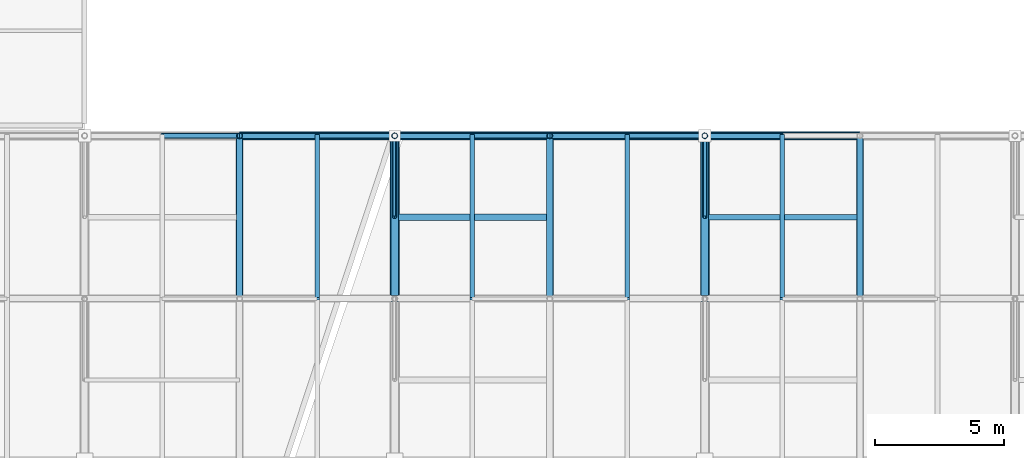
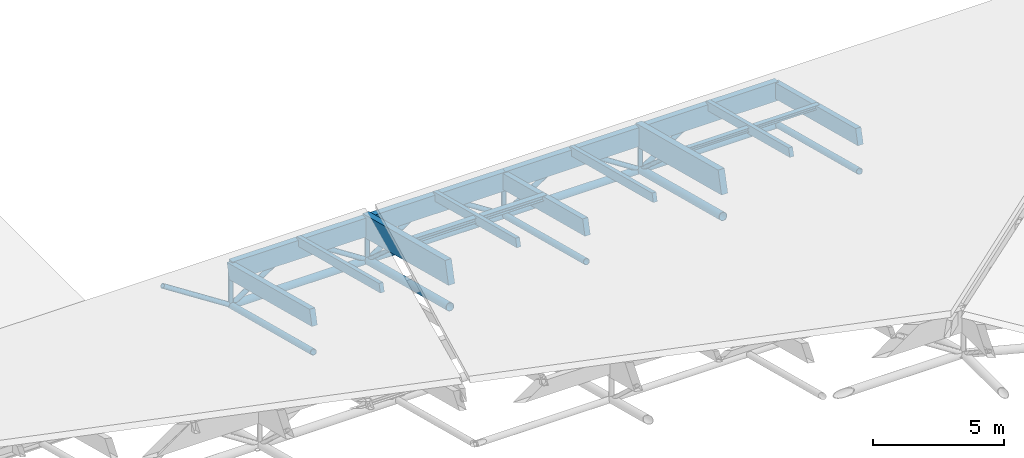
# One storey, part 66 of 80: 38 members.
"""IFC4 building model written with IfcOpenShell, lengths in metres."""

from ifc_helpers import new_model, si_unit, direction, frame, origin, origin_2d, place, context, subcontext, project, spatial, rectangle, hollow_circle, i_section, extrude, material, material_profile, profile_set, type_object, element, save


model = new_model("IFC4")

# Units and contexts
model_context = context("Model", 3, precision=1e-05, world=origin(), true_north=direction((0.0, 1.0)))
body_context = subcontext(model_context, "Body", "Model", "MODEL_VIEW")
ifc_project = project(units=[si_unit("LENGTHUNIT", "METRE"), si_unit("AREAUNIT", "SQUARE_METRE"), si_unit("VOLUMEUNIT", "CUBIC_METRE"), si_unit("PLANEANGLEUNIT", "RADIAN"), si_unit("MASSUNIT", "GRAM", prefix="KILO"), si_unit("THERMODYNAMICTEMPERATUREUNIT", "KELVIN"), si_unit("POWERUNIT", "WATT")], contexts=[model_context])

# Site, building, storey
site_placement = place(None, origin())
site = spatial("IfcSite", under=ifc_project, at=site_placement, CompositionType="ELEMENT")
building_placement = place(site_placement, origin())
building = spatial("IfcBuilding", under=site, at=building_placement, Name="Solmara Park Aquatics Centre", CompositionType="ELEMENT")
storey_placement = place(building_placement, frame((0.0, 0.0, 22.800048828125)))
storey = spatial("IfcBuildingStorey", under=building, at=storey_placement, Name="RF", CompositionType="ELEMENT", Elevation=22.800048828125)

# Members
ifc_material_1 = material(Name="Structural Steel S355", Category="steel")
ifc_material_profile_1 = material_profile(ifc_material_1, hollow_circle(Radius=0.084228515625, WallThickness=0.008056640625, at=origin_2d()), Name="CHS 168.3x8")
ifc_profile_set_1 = profile_set([ifc_material_profile_1], Name="Structural Steel S355")
member_type_1 = type_object("IfcMemberType", Name="STR-BRC-CHS168", PredefinedType="BRACE", material=ifc_profile_set_1)
for number, where, z_axis, x_axis, name in (
    (1, (72.60009765625, 85.199951171875, -14.400146484375), (0.0, -0.748026356938, 0.663669020917), (1.0, 0.0, 0.0), "Roof Truss Web Diagonal Y 2168"),
    (2, (84.60009765625, 85.199951171875, -14.400146484375), (0.0, -0.748026356938, 0.663669020917), (1.0, 0.0, 0.0), "Roof Truss Web Diagonal Y 2169"),
):
    element("IfcMember", number, at=place(storey_placement, frame(where, z_axis=z_axis, x_axis=x_axis)), inside=storey, type_object=member_type_1, Name=name, PredefinedType="BRACE", context=body_context, shape_type="SweptSolid", body=[
        extrude(hollow_circle(Radius=0.084228515625, WallThickness=0.008056640625, at=origin_2d()), origin(), (0.0, 0.0, 1.0), 4.2109375),
    ])
ifc_material_profile_2 = material_profile(ifc_material_1, hollow_circle(Radius=0.109619140625, WallThickness=0.010009765625, at=origin_2d()), Name="CHS 219.1x10")
ifc_profile_set_2 = profile_set([ifc_material_profile_2], Name="Structural Steel S355")
member_type_2 = type_object("IfcMemberType", Name="STR-BRC-CHS219", PredefinedType="BRACE", material=ifc_profile_set_2)
for number, where, z_axis, x_axis, name in (
    (3, (66.60009765625, 85.199951171875, -14.400146484375), (-0.839696636896, 0.0, 0.543055759555), (0.0, -1.0, 0.0), "Roof Truss Web Diagonal X 1652"),
    (4, (66.60009765625, 85.199951171875, -14.400146484375), (0.839696636896, 0.0, 0.543055759555), (0.0, 1.0, 0.0), "Roof Truss Web Diagonal X 1681"),
    (5, (72.60009765625, 85.199951171875, -14.400146484375), (-0.839696636896, 0.0, 0.543055759555), (0.0, -1.0, 0.0), "Roof Truss Web Diagonal X 1682"),
    (6, (72.60009765625, 85.199951171875, -14.400146484375), (0.839696636896, 0.0, 0.543055759555), (0.0, 1.0, 0.0), "Roof Truss Web Diagonal X 1709"),
    (7, (78.60009765625, 85.199951171875, -14.400146484375), (-0.839696636896, 0.0, 0.543055759555), (0.0, -1.0, 0.0), "Roof Truss Web Diagonal X 1710"),
    (8, (78.60009765625, 85.199951171875, -14.400146484375), (0.839696636896, 0.0, 0.543055759555), (0.0, 1.0, 0.0), "Roof Truss Web Diagonal X 1737"),
    (9, (84.60009765625, 85.199951171875, -14.400146484375), (-0.839696636896, 0.0, 0.543055759555), (0.0, -1.0, 0.0), "Roof Truss Web Diagonal X 1738"),
    (10, (84.60009765625, 85.199951171875, -14.400146484375), (0.839696636896, 0.0, 0.543055759555), (0.0, 1.0, 0.0), "Roof Truss Web Diagonal X 1763"),
):
    element("IfcMember", number, at=place(storey_placement, frame(where, z_axis=z_axis, x_axis=x_axis)), inside=storey, type_object=member_type_2, Name=name, PredefinedType="BRACE", context=body_context, shape_type="SweptSolid", body=[
        extrude(hollow_circle(Radius=0.109619140625, WallThickness=0.010009765625, at=origin_2d()), origin(), (0.0, 0.0, 1.0), 3.57275390625),
    ])
ifc_material_profile_3 = material_profile(ifc_material_1, hollow_circle(Radius=0.136474609375, WallThickness=0.012451171875, at=origin_2d()), Name="CHS 273x12.5")
ifc_profile_set_3 = profile_set([ifc_material_profile_3], Name="Structural Steel S355")
member_type_3 = type_object("IfcMemberType", Name="STR-CHD-CHS273", PredefinedType="CHORD", material=ifc_profile_set_3)
for number, where, z_axis, x_axis, name in (
    (11, (66.60009765625, 78.89990234375, -12.770751953125), (0.0, 0.968144245908, -0.25039312913), (-1.0, 0.0, 0.0), "Steel Roof Truss Bottom Chord Y 0876"),
    (12, (78.60009765625, 78.89990234375, -12.770751953125), (0.0, 0.968144245908, -0.25039312913), (-1.0, 0.0, 0.0), "Steel Roof Truss Bottom Chord Y 0932"),
    (13, (90.60009765625, 78.89990234375, -12.770751953125), (0.0, 0.968144245908, -0.25039312913), (-1.0, 0.0, 0.0), "Steel Roof Truss Bottom Chord Y 0988"),
):
    element("IfcMember", number, at=place(storey_placement, frame(where, z_axis=z_axis, x_axis=x_axis)), inside=storey, type_object=member_type_3, Name=name, PredefinedType="CHORD", context=body_context, shape_type="SweptSolid", body=[
        extrude(hollow_circle(Radius=0.136474609375, WallThickness=0.012451171875, at=origin_2d()), origin(), (0.0, 0.0, 1.0), 6.50732421875),
    ])
ifc_material_profile_4 = material_profile(ifc_material_1, hollow_circle(Radius=0.161865234375, WallThickness=0.01611328125, at=origin_2d()), Name="CHS 323.9x16")
ifc_profile_set_4 = profile_set([ifc_material_profile_4], Name="Structural Steel S355")
member_type_4 = type_object("IfcMemberType", Name="STR-CHD-CHS323", PredefinedType="CHORD", material=ifc_profile_set_4)
for number, where, z_axis, x_axis, name in (
    (14, (66.60009765625, 85.199951171875, -14.400146484375), (1.0, 0.0, 0.0), (0.0, 1.0, 0.0), "Steel Roof Truss Bottom Chord X 0528"),
    (15, (72.60009765625, 85.199951171875, -14.400146484375), (1.0, 0.0, 0.0), (0.0, 1.0, 0.0), "Steel Roof Truss Bottom Chord X 0530"),
    (16, (78.60009765625, 85.199951171875, -14.400146484375), (1.0, 0.0, 0.0), (0.0, 1.0, 0.0), "Steel Roof Truss Bottom Chord X 0532"),
    (17, (84.60009765625, 85.199951171875, -14.400146484375), (1.0, 0.0, 0.0), (0.0, 1.0, 0.0), "Steel Roof Truss Bottom Chord X 0534"),
):
    element("IfcMember", number, at=place(storey_placement, frame(where, z_axis=z_axis, x_axis=x_axis)), inside=storey, type_object=member_type_4, Name=name, PredefinedType="CHORD", context=body_context, shape_type="SweptSolid", body=[
        extrude(hollow_circle(Radius=0.161865234375, WallThickness=0.01611328125, at=origin_2d()), origin(), (0.0, 0.0, 1.0), 6.0),
    ])
ifc_material_profile_5 = material_profile(ifc_material_1, hollow_circle(Radius=0.177734375, WallThickness=0.01611328125, at=origin_2d()), Name="CHS 355.6x16")
ifc_profile_set_5 = profile_set([ifc_material_profile_5], Name="Structural Steel S355")
member_type_5 = type_object("IfcMemberType", Name="STR-CHD-CHS355", PredefinedType="CHORD", material=ifc_profile_set_5)
for number, where, z_axis, x_axis, name in (
    (18, (72.60009765625, 78.89990234375, -12.770751953125), (0.0, 0.968144245908, -0.25039312913), (-1.0, 0.0, 0.0), "Steel Roof Truss Bottom Chord Y 0904"),
    (19, (84.60009765625, 78.89990234375, -12.770751953125), (0.0, 0.968144245908, -0.25039312913), (-1.0, 0.0, 0.0), "Steel Roof Truss Bottom Chord Y 0960"),
):
    element("IfcMember", number, at=place(storey_placement, frame(where, z_axis=z_axis, x_axis=x_axis)), inside=storey, type_object=member_type_5, Name=name, PredefinedType="CHORD", context=body_context, shape_type="SweptSolid", body=[
        extrude(hollow_circle(Radius=0.177734375, WallThickness=0.01611328125, at=origin_2d()), origin(), (0.0, 0.0, 1.0), 6.50732421875),
    ])
ifc_material_2 = material(Name="Glulam Timber GL28h", Category="wood")
ifc_material_profile_6 = material_profile(ifc_material_2, rectangle(XDim=0.239990234375, YDim=0.719970703125, at=origin_2d()), Name="GL28h 240x720")
ifc_profile_set_6 = profile_set([ifc_material_profile_6], Name="Glulam Timber GL28h")
member_type_6 = type_object("IfcMemberType", Name="STR-CHD-GL240x720", PredefinedType="CHORD", material=ifc_profile_set_6)
for number, where, z_axis, x_axis, name in (
    (20, (66.60009765625, 78.89990234375, -11.150634765625), (0.0, 0.968144245908, -0.25039312913), (-1.0, 0.0, 0.0), "Glulam Roof Truss Top Chord Y 0875"),
    (21, (78.60009765625, 78.89990234375, -11.150634765625), (0.0, 0.968144245908, -0.25039312913), (-1.0, 0.0, 0.0), "Glulam Roof Truss Top Chord Y 0931"),
    (22, (90.60009765625, 78.89990234375, -11.150634765625), (0.0, 0.968144245908, -0.25039312913), (-1.0, 0.0, 0.0), "Glulam Roof Truss Top Chord Y 0987"),
):
    element("IfcMember", number, at=place(storey_placement, frame(where, z_axis=z_axis, x_axis=x_axis)), inside=storey, type_object=member_type_6, Name=name, PredefinedType="CHORD", context=body_context, shape_type="SweptSolid", body=[
        extrude(rectangle(XDim=0.239990234375, YDim=0.719970703125, at=origin_2d()), origin(), (0.0, 0.0, 1.0), 6.50732421875),
    ])
ifc_material_profile_7 = material_profile(ifc_material_2, rectangle(XDim=0.260009765625, YDim=0.8798828125, at=origin_2d()), Name="GL28h 260x880")
ifc_profile_set_7 = profile_set([ifc_material_profile_7], Name="Glulam Timber GL28h")
member_type_7 = type_object("IfcMemberType", Name="STR-CHD-GL260x880", PredefinedType="CHORD", material=ifc_profile_set_7)
for number, where, z_axis, x_axis, name in (
    (23, (66.60009765625, 85.199951171875, -12.780029296875), (1.0, 0.0, 0.0), (0.0, 1.0, 0.0), "Glulam Roof Truss Top Chord X 0527"),
    (24, (72.60009765625, 85.199951171875, -12.780029296875), (1.0, 0.0, 0.0), (0.0, 1.0, 0.0), "Glulam Roof Truss Top Chord X 0529"),
    (25, (78.60009765625, 85.199951171875, -12.780029296875), (1.0, 0.0, 0.0), (0.0, 1.0, 0.0), "Glulam Roof Truss Top Chord X 0531"),
    (26, (84.60009765625, 85.199951171875, -12.780029296875), (1.0, 0.0, 0.0), (0.0, 1.0, 0.0), "Glulam Roof Truss Top Chord X 0533"),
):
    element("IfcMember", number, at=place(storey_placement, frame(where, z_axis=z_axis, x_axis=x_axis)), inside=storey, type_object=member_type_7, Name=name, PredefinedType="CHORD", context=body_context, shape_type="SweptSolid", body=[
        extrude(rectangle(XDim=0.260009765625, YDim=0.8798828125, at=origin_2d()), origin(), (0.0, 0.0, 1.0), 6.0),
    ])
ifc_material_profile_8 = material_profile(ifc_material_2, rectangle(XDim=0.280029296875, YDim=1.0400390625, at=origin_2d()), Name="GL28h 280x1040")
ifc_profile_set_8 = profile_set([ifc_material_profile_8], Name="Glulam Timber GL28h")
member_type_8 = type_object("IfcMemberType", Name="STR-CHD-GL280x1040", PredefinedType="CHORD", material=ifc_profile_set_8)
for number, where, z_axis, x_axis, name in (
    (27, (72.60009765625, 78.89990234375, -11.150634765625), (0.0, 0.968144245908, -0.25039312913), (-1.0, 0.0, 0.0), "Glulam Roof Truss Top Chord Y 0903"),
    (28, (84.60009765625, 78.89990234375, -11.150634765625), (0.0, 0.968144245908, -0.25039312913), (-1.0, 0.0, 0.0), "Glulam Roof Truss Top Chord Y 0959"),
):
    element("IfcMember", number, at=place(storey_placement, frame(where, z_axis=z_axis, x_axis=x_axis)), inside=storey, type_object=member_type_8, Name=name, PredefinedType="CHORD", context=body_context, shape_type="SweptSolid", body=[
        extrude(rectangle(XDim=0.280029296875, YDim=1.0400390625, at=origin_2d()), origin(), (0.0, 0.0, 1.0), 6.50732421875),
    ])
ifc_material_profile_9 = material_profile(ifc_material_2, rectangle(XDim=0.179931640625, YDim=0.39990234375, at=origin_2d()), Name="GL28h 180x400")
ifc_profile_set_9 = profile_set([ifc_material_profile_9], Name="Glulam Timber GL28h")
member_type_9 = type_object("IfcMemberType", Name="STR-PRL-GL180x400", PredefinedType="PURLIN", material=ifc_profile_set_9)
for number, where, z_axis, x_axis, name in (
    (29, (69.60009765625, 78.89990234375, -10.830810546875), (0.0, 0.96815334027, -0.250357963171), (-1.0, 0.0, 0.0), "Glulam Roof Purlin 1666"),
    (30, (75.60009765625, 78.89990234375, -10.830810546875), (0.0, 0.96815334027, -0.250357963171), (-1.0, 0.0, 0.0), "Glulam Roof Purlin 1696"),
    (31, (81.60009765625, 78.89990234375, -10.830810546875), (0.0, 0.96815334027, -0.250357963171), (-1.0, 0.0, 0.0), "Glulam Roof Purlin 1724"),
    (32, (87.60009765625, 78.89990234375, -10.830810546875), (0.0, 0.96815334027, -0.250357963171), (-1.0, 0.0, 0.0), "Glulam Roof Purlin 1752"),
):
    element("IfcMember", number, at=place(storey_placement, frame(where, z_axis=z_axis, x_axis=x_axis)), inside=storey, type_object=member_type_9, Name=name, PredefinedType="PURLIN", context=body_context, shape_type="SweptSolid", body=[
        extrude(rectangle(XDim=0.179931640625, YDim=0.39990234375, at=origin_2d()), origin(), (0.0, 0.0, 1.0), 6.50732421875),
    ])
ifc_material_profile_10 = material_profile(ifc_material_1, i_section(OverallWidth=0.199951171875, OverallDepth=0.18994140625, WebThickness=0.006591796875, FlangeThickness=0.010009765625, FilletRadius=0.01806640625, at=origin_2d()), Name="HEA 200")
ifc_profile_set_10 = profile_set([ifc_material_profile_10], Name="Structural Steel S355")
member_type_10 = type_object("IfcMemberType", Name="STR-PRL-HEA200", PredefinedType="PURLIN", material=ifc_profile_set_10)
member_1_placement = place(storey_placement, frame((84.60009765625, 82.050048828125, -11.62548828125), z_axis=(1.0, 0.0, 0.0), x_axis=(0.0, 1.0, 0.0)))
element("IfcMember", 33, at=member_1_placement, inside=storey, type_object=member_type_10, Name="Glulam Secondary Roof Purlin 2159", PredefinedType="PURLIN", context=body_context, shape_type="SweptSolid", body=[
    extrude(i_section(OverallWidth=0.199951171875, OverallDepth=0.18994140625, WebThickness=0.006591796875, FlangeThickness=0.010009765625, FilletRadius=0.01806640625, at=origin_2d()), origin(), (0.0, 0.0, 1.0), 6.0),
])
ifc_material_profile_11 = material_profile(ifc_material_1, i_section(OverallWidth=0.239990234375, OverallDepth=0.22998046875, WebThickness=0.007568359375, FlangeThickness=0.011962890625, FilletRadius=0.02099609375, at=origin_2d()), Name="HEA 240")
ifc_profile_set_11 = profile_set([ifc_material_profile_11], Name="Structural Steel S355")
member_type_11 = type_object("IfcMemberType", Name="STR-PRL-HEA240", PredefinedType="PURLIN", material=ifc_profile_set_11)
member_2_placement = place(storey_placement, frame((72.60009765625, 82.050048828125, -11.62548828125), z_axis=(1.0, 0.0, 0.0), x_axis=(0.0, 1.0, 0.0)))
element("IfcMember", 34, at=member_2_placement, inside=storey, type_object=member_type_11, Name="Glulam Secondary Roof Purlin 2158", PredefinedType="PURLIN", context=body_context, shape_type="SweptSolid", body=[
    extrude(i_section(OverallWidth=0.239990234375, OverallDepth=0.22998046875, WebThickness=0.007568359375, FlangeThickness=0.011962890625, FilletRadius=0.02099609375, at=origin_2d()), origin(), (0.0, 0.0, 1.0), 6.0),
])
ifc_material_profile_12 = material_profile(ifc_material_1, hollow_circle(Radius=0.109619140625, WallThickness=0.010009765625, at=origin_2d()), Name="CHS 219.1x10")
ifc_profile_set_12 = profile_set([ifc_material_profile_12], Name="Structural Steel S355")
member_type_12 = type_object("IfcMemberType", Name="STR-PST-CHS219", PredefinedType="POST", material=ifc_profile_set_12)
for number, where, z_axis, x_axis, name in (
    (35, (66.60009765625, 85.199951171875, -14.400146484375), (0.0, 0.0, 1.0), (1.0, 0.0, 0.0), "Roof Truss Web Post 1245"),
    (36, (72.60009765625, 85.199951171875, -14.400146484375), (0.0, 0.0, 1.0), (1.0, 0.0, 0.0), "Roof Truss Web Post 1260"),
    (37, (78.60009765625, 85.199951171875, -14.400146484375), (0.0, 0.0, 1.0), (1.0, 0.0, 0.0), "Roof Truss Web Post 1275"),
    (38, (84.60009765625, 85.199951171875, -14.400146484375), (0.0, 0.0, 1.0), (1.0, 0.0, 0.0), "Roof Truss Web Post 1290"),
):
    element("IfcMember", number, at=place(storey_placement, frame(where, z_axis=z_axis, x_axis=x_axis)), inside=storey, type_object=member_type_12, Name=name, PredefinedType="POST", context=body_context, shape_type="SweptSolid", body=[
        extrude(hollow_circle(Radius=0.109619140625, WallThickness=0.010009765625, at=origin_2d()), origin(), (0.0, 0.0, 1.0), 1.6201171875),
    ])

save(model, "model.ifc")
